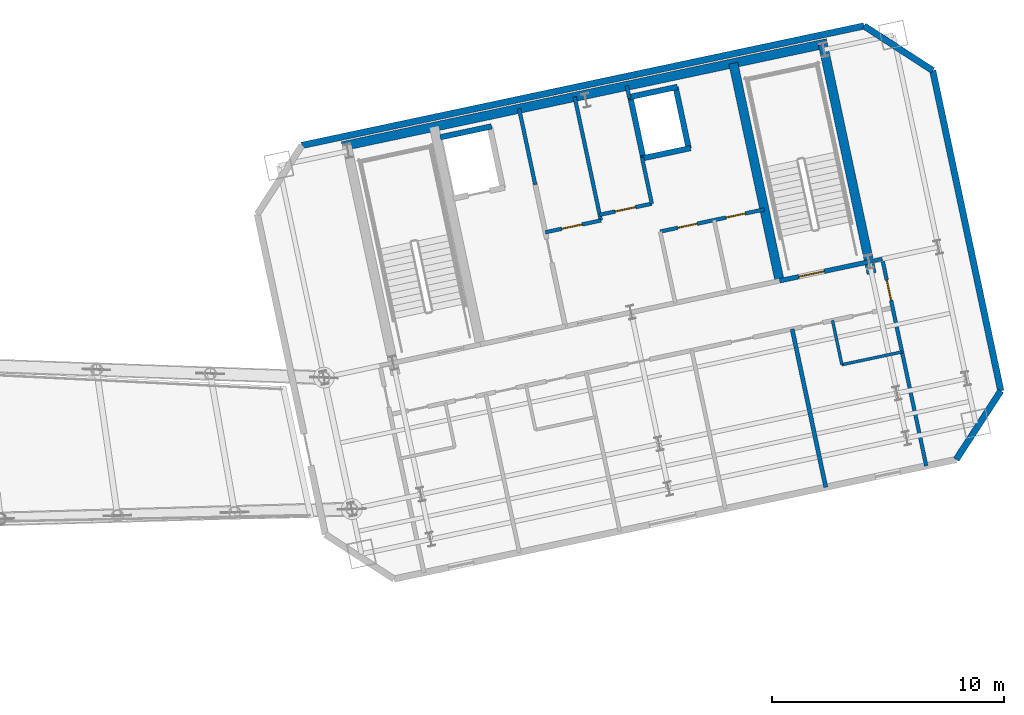
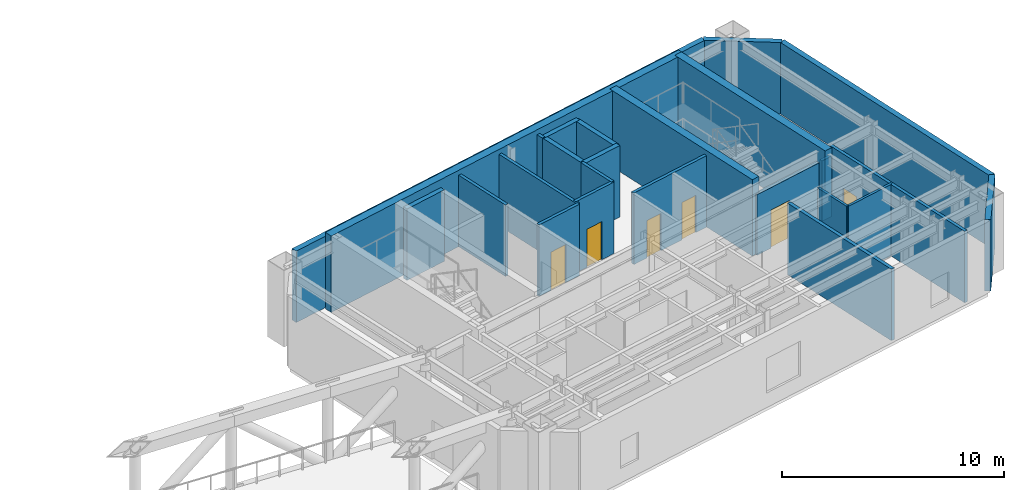
# One storey, part 10 of 14: 25 walls, 6 doors, 6 openings.
"""IFC4 building model written with IfcOpenShell, lengths in metres."""

from ifc_helpers import new_model, si_unit, direction, frame, frame_2d, origin, place, context, subcontext, project, spatial, rectangle, extrude, material, layer, layer_set, type_object, element, fill, save


model = new_model("IFC4")

# Units and contexts
model_context = context("Model", 3, precision=1e-05, world=origin(), true_north=direction((0.0, 1.0)))
body_context = subcontext(model_context, "Body", "Model", "MODEL_VIEW")
ifc_project = project(units=[si_unit("LENGTHUNIT", "METRE"), si_unit("AREAUNIT", "SQUARE_METRE"), si_unit("VOLUMEUNIT", "CUBIC_METRE"), si_unit("PLANEANGLEUNIT", "RADIAN"), si_unit("MASSUNIT", "GRAM", prefix="KILO")], contexts=[model_context])

# Site, building, storey
site_placement = place(None, origin())
site = spatial("IfcSite", under=ifc_project, at=site_placement, CompositionType="ELEMENT")
building_placement = place(site_placement, origin())
building = spatial("IfcBuilding", under=site, at=building_placement, Name="Haevon Station Towers", CompositionType="ELEMENT")
storey_placement = place(building_placement, frame((0.0, 0.0, 201.300048828125)))
storey = spatial("IfcBuildingStorey", under=building, at=storey_placement, Name="L55", CompositionType="ELEMENT", Elevation=201.300048828125)

# Wall
ifc_material_1 = material(Name="Gypsum board on steel stud", Category="steel")
ifc_layer_1 = layer(ifc_material_1, 0.179931640625)
ifc_layer_set_1 = layer_set([ifc_layer_1], Name="Gypsum board on steel stud")
wall_type_1 = type_object("IfcWallType", Name="WL-ACU180", PredefinedType="PARTITIONING", material=ifc_layer_set_1)
wall_1_placement = place(storey_placement, frame((117.423828125, 32.0771484375, 0.0), z_axis=(0.0, 0.0, 1.0), x_axis=(-0.207906863497, 0.9781486268, 0.0)))
element("IfcWall", 1, at=wall_1_placement, inside=storey, type_object=wall_type_1, Name="WL-T2PT-L55-12", PredefinedType="PARTITIONING", context=body_context, shape_type="SweptSolid", body=[
    extrude(rectangle(XDim=6.97998046875, YDim=0.179931640625, at=frame_2d((3.489990234375, 0.0))), origin(), (0.0, 0.0, 1.0), 3.929931640625),
])

# Wall, opening, door
ifc_layer_2 = layer(ifc_material_1, 0.199951171875)
ifc_layer_set_2 = layer_set([ifc_layer_2], Name="Gypsum board on steel stud")
wall_type_2 = type_object("IfcWallType", Name="WL-COR200", PredefinedType="PARTITIONING", material=ifc_layer_set_2)
wall_2_placement = place(storey_placement, frame((115.4296875, 40.9873046875, 0.0), z_axis=(0.0, 0.0, 1.0), x_axis=(0.978146596989, 0.207916413008, 0.0)))
wall_2 = element("IfcWall", 2, at=wall_2_placement, inside=storey, type_object=wall_type_2, Name="WL-ST-ST4-L55", PredefinedType="PARTITIONING", context=body_context, shape_type="SweptSolid", body=[
    extrude(rectangle(XDim=3.9501953125, YDim=0.199951171875, at=frame_2d((1.97509765625, 0.0))), origin(), (0.0, 0.0, 1.0), 3.329833984375),
])
opening_1_placement = place(wall_2_placement, frame((0.85009765625, 0.0, 0.0)))
opening_1 = element("IfcOpeningElement", 3, at=opening_1_placement, cuts=wall_2, Name="Opening DR-ST-ST4-L55", PredefinedType="OPENING", context=body_context, shape_type="SweptSolid", body=[
    extrude(rectangle(XDim=1.1201171875, YDim=2.10009765625, at=frame_2d((0.56005859375, 1.050048828125))), frame((0.0, 0.10986328125, 0.0), z_axis=(0.0, -1.0, 0.0), x_axis=(1.0, 0.0, 0.0)), (0.0, 0.0, 1.0), 0.219970703125),
])
ifc_material_2 = material(Name="Engineered oak timber", Category="wood")
door_type_1 = type_object("IfcDoorType", Name="DR-ST-1120", OperationType="NOTDEFINED", PredefinedType="DOOR", material=ifc_material_2)
door_1_placement = place(opening_1_placement, origin())
door_1 = element("IfcDoor", 4, at=door_1_placement, inside=storey, type_object=door_type_1, Name="L55 Escape Stair ST4 Fire Door", OperationType="SINGLE_SWING_RIGHT", OverallHeight=2.10009765625, OverallWidth=1.1201171875, PredefinedType="DOOR", context=body_context, shape_type="SweptSolid", body=[
    extrude(rectangle(XDim=1.1201171875, YDim=2.10009765625, at=frame_2d((0.56005859375, 1.050048828125))), frame((0.0, 0.02490234375, 0.0), z_axis=(0.0, -1.0, 0.0), x_axis=(1.0, 0.0, 0.0)), (0.0, 0.0, 1.0), 0.050048828125),
])
fill(opening_1, door_1)

# Walls
ifc_material_3 = material(Name="Concrete C60/75", Category="concrete")
ifc_layer_3 = layer(ifc_material_3, 0.39990234375)
ifc_layer_set_3 = layer_set([ifc_layer_3], Name="Concrete C60/75")
wall_type_3 = type_object("IfcWallType", Name="WL-CR400", PredefinedType="SHEAR", material=ifc_layer_set_3)
wall_3_placement = place(storey_placement, frame((96.560791015625, 46.791015625, 0.0), z_axis=(0.0, 0.0, 1.0), x_axis=(0.978148498705, 0.207907466152, 0.0)))
element("IfcWall", 5, at=wall_3_placement, inside=storey, type_object=wall_type_3, Name="WL-T2CR-L55-N", PredefinedType="SHEAR", context=body_context, shape_type="SweptSolid", body=[
    extrude(rectangle(XDim=21.39990234375, YDim=0.39990234375, at=frame_2d((10.699951171875, 0.0))), origin(), (0.0, 0.0, 1.0), 4.199951171875),
])
wall_4_placement = place(storey_placement, frame((119.401611328125, 41.2998046875, 0.0), z_axis=(0.0, 0.0, 1.0), x_axis=(-0.207904342798, 0.978149162575, 0.0)))
element("IfcWall", 6, at=wall_4_placement, inside=storey, type_object=wall_type_3, Name="WL-T2CR-L55-E", PredefinedType="SHEAR", context=body_context, shape_type="SweptSolid", body=[
    extrude(rectangle(XDim=10.1201171875, YDim=0.39990234375, at=frame_2d((5.06005859375, 0.0))), origin(), (0.0, 0.0, 1.0), 4.199951171875),
])
wall_5_placement = place(storey_placement, frame((115.4296875, 40.9873046875, 0.0), z_axis=(0.0, 0.0, 1.0), x_axis=(-0.207903162969, 0.978149413345, 0.0)))
element("IfcWall", 7, at=wall_5_placement, inside=storey, type_object=wall_type_3, Name="WL-T2CR-L55-M2", PredefinedType="SHEAR", context=body_context, shape_type="SweptSolid", body=[
    extrude(rectangle(XDim=9.599853515625, YDim=0.39990234375, at=frame_2d((4.7998046875, 0.0))), origin(), (0.0, 0.0, 1.0), 4.199951171875),
])
ifc_material_4 = material(Name="Precast concrete C45/55", Category="concrete")
ifc_layer_4 = layer(ifc_material_4, 0.280029296875)
ifc_layer_set_4 = layer_set([ifc_layer_4], Name="Precast concrete C45/55")
wall_type_4 = type_object("IfcWallType", Name="WL-EXT-PIER280", PredefinedType="SOLIDWALL", material=ifc_layer_set_4)
wall_6_placement = place(storey_placement, frame((94.814697265625, 46.828857421875, 0.0), z_axis=(0.0, 0.0, 1.0), x_axis=(0.97814726544, 0.207913268245, 0.0)))
element("IfcWall", 8, at=wall_6_placement, inside=storey, type_object=wall_type_4, Name="WL-T2-L55-N", PredefinedType="SOLIDWALL", context=body_context, shape_type="SweptSolid", body=[
    extrude(rectangle(XDim=24.800048828125, YDim=0.280029296875, at=frame_2d((12.39990234375, 0.0))), origin(), (0.0, 0.0, 1.0), 3.929931640625),
])
wall_7_placement = place(storey_placement, frame((119.07275390625, 51.985107421875, 0.0), z_axis=(0.0, 0.0, 1.0), x_axis=(0.838672309694, -0.544636352948, 0.0)))
element("IfcWall", 9, at=wall_7_placement, inside=storey, type_object=wall_type_4, Name="WL-T2-L55-NEC", PredefinedType="SOLIDWALL", context=body_context, shape_type="SweptSolid", body=[
    extrude(rectangle(XDim=3.535400390625, YDim=0.280029296875, at=frame_2d((1.767578125, 0.0))), origin(), (0.0, 0.0, 1.0), 3.929931640625),
])
wall_8_placement = place(storey_placement, frame((122.037841796875, 50.0595703125, 0.0), z_axis=(0.0, 0.0, 1.0), x_axis=(0.207924054969, -0.978144972571, 0.0)))
element("IfcWall", 10, at=wall_8_placement, inside=storey, type_object=wall_type_4, Name="WL-T2-L55-E", PredefinedType="SOLIDWALL", context=body_context, shape_type="SweptSolid", body=[
    extrude(rectangle(XDim=14.130126953125, YDim=0.280029296875, at=frame_2d((7.06494140625, 0.0))), origin(), (0.0, 0.0, 1.0), 3.929931640625),
])
wall_9_placement = place(storey_placement, frame((124.975830078125, 36.23828125, 0.0), z_axis=(0.0, 0.0, 1.0), x_axis=(-0.544684921471, -0.838640767148, 0.0)))
element("IfcWall", 11, at=wall_9_placement, inside=storey, type_object=wall_type_4, Name="WL-T2-L55-SEC", PredefinedType="SOLIDWALL", context=body_context, shape_type="SweptSolid", body=[
    extrude(rectangle(XDim=3.53564453125, YDim=0.280029296875, at=frame_2d((1.767822265625, 0.0))), origin(), (0.0, 0.0, 1.0), 3.929931640625),
])
ifc_layer_5 = layer(ifc_material_1, 0.125)
ifc_layer_set_5 = layer_set([ifc_layer_5], Name="Gypsum board on steel stud")
wall_type_5 = type_object("IfcWallType", Name="WL-PRT125", PredefinedType="PARTITIONING", material=ifc_layer_set_5)
wall_10_placement = place(storey_placement, frame((118.119140625, 37.367431640625, 0.0), z_axis=(0.0, 0.0, 1.0), x_axis=(0.978155341176, 0.207875271565, 0.0)))
element("IfcWall", 12, at=wall_10_placement, inside=storey, type_object=wall_type_5, Name="WL-T2PT-L55-13", PredefinedType="PARTITIONING", context=body_context, shape_type="SweptSolid", body=[
    extrude(rectangle(XDim=2.65185546875, YDim=0.125, at=frame_2d((1.325927734375, 0.0))), origin(), (0.0, 0.0, 1.0), 3.929931640625),
])
wall_11_placement = place(storey_placement, frame((118.119140625, 37.367431640625, 0.0), z_axis=(0.0, 0.0, 1.0), x_axis=(-0.207972563987, 0.978134659763, 0.0)))
element("IfcWall", 13, at=wall_11_placement, inside=storey, type_object=wall_type_5, Name="WL-T2PT-L55-14", PredefinedType="PARTITIONING", context=body_context, shape_type="SweptSolid", body=[
    extrude(rectangle(XDim=1.949951171875, YDim=0.125, at=frame_2d((0.97509765625, 0.0))), origin(), (0.0, 0.0, 1.0), 3.929931640625),
])
ifc_layer_6 = layer(ifc_material_1, 0.159912109375)
ifc_layer_set_6 = layer_set([ifc_layer_6], Name="Gypsum board on steel stud")
wall_type_6 = type_object("IfcWallType", Name="WL-PRT160", PredefinedType="PARTITIONING", material=ifc_layer_set_6)
wall_12_placement = place(storey_placement, frame((104.88671875, 45.135986328125, 0.0), z_axis=(0.0, 0.0, 1.0), x_axis=(-0.207846553267, 0.978161443881, 0.0)))
element("IfcWall", 14, at=wall_12_placement, inside=storey, type_object=wall_type_6, Name="WL-T2CW-L55-01", PredefinedType="PARTITIONING", context=body_context, shape_type="SweptSolid", body=[
    extrude(rectangle(XDim=3.35009765625, YDim=0.159912109375, at=frame_2d((1.675048828125, 0.0))), origin(), (0.0, 0.0, 1.0), 3.929931640625),
])

# Wall, opening, door
wall_13_placement = place(storey_placement, frame((105.323486328125, 43.081787109375, 0.0), z_axis=(0.0, 0.0, 1.0), x_axis=(0.978136559131, 0.207963630695, 0.0)))
wall_13 = element("IfcWall", 15, at=wall_13_placement, inside=storey, type_object=wall_type_6, Name="WL-T2CW-L55-02", PredefinedType="PARTITIONING", context=body_context, shape_type="SweptSolid", body=[
    extrude(rectangle(XDim=2.449951171875, YDim=0.159912109375, at=frame_2d((1.22509765625, 0.0))), origin(), (0.0, 0.0, 1.0), 3.929931640625),
])
opening_2_placement = place(wall_13_placement, frame((0.719970703125, 0.0, 0.0)))
opening_2 = element("IfcOpeningElement", 16, at=opening_2_placement, cuts=wall_13, Name="Opening DR-WL-T2CW-L55-02-1", PredefinedType="OPENING", context=body_context, shape_type="SweptSolid", body=[
    extrude(rectangle(XDim=0.89990234375, YDim=2.10009765625, at=frame_2d((0.449951171875, 1.050048828125))), frame((0.0, 0.08984375, 0.0), z_axis=(0.0, -1.0, 0.0), x_axis=(1.0, 0.0, 0.0)), (0.0, 0.0, 1.0), 0.179931640625),
])
door_type_2 = type_object("IfcDoorType", Name="DR-FD60-900", OperationType="NOTDEFINED", PredefinedType="DOOR", material=ifc_material_2)
door_2_placement = place(opening_2_placement, origin())
door_2 = element("IfcDoor", 17, at=door_2_placement, inside=storey, type_object=door_type_2, Name="L55 Tower 2 Core Room Door 2-1", OperationType="SINGLE_SWING_LEFT", OverallHeight=2.10009765625, OverallWidth=0.89990234375, PredefinedType="DOOR", context=body_context, shape_type="SweptSolid", body=[
    extrude(rectangle(XDim=0.89990234375, YDim=2.10009765625, at=frame_2d((0.449951171875, 1.050048828125))), frame((0.0, 0.02490234375, 0.0), z_axis=(0.0, -1.0, 0.0), x_axis=(1.0, 0.0, 0.0)), (0.0, 0.0, 1.0), 0.050048828125),
])
fill(opening_2, door_2)

# Wall
wall_14_placement = place(storey_placement, frame((107.719970703125, 43.59130859375, 0.0), z_axis=(0.0, 0.0, 1.0), x_axis=(-0.207947156665, 0.978140061563, 0.0)))
element("IfcWall", 18, at=wall_14_placement, inside=storey, type_object=wall_type_6, Name="WL-T2CW-L55-03", PredefinedType="PARTITIONING", context=body_context, shape_type="SweptSolid", body=[
    extrude(rectangle(XDim=5.449951171875, YDim=0.159912109375, at=frame_2d((2.72509765625, 0.0))), origin(), (0.0, 0.0, 1.0), 3.929931640625),
])

# Wall, opening, door
wall_15_placement = place(storey_placement, frame((107.66796875, 43.835693359375, 0.0), z_axis=(0.0, 0.0, 1.0), x_axis=(0.978141312374, 0.207941273027, 0.0)))
wall_15 = element("IfcWall", 19, at=wall_15_placement, inside=storey, type_object=wall_type_6, Name="WL-T2CW-L55-04", PredefinedType="PARTITIONING", context=body_context, shape_type="SweptSolid", body=[
    extrude(rectangle(XDim=2.300048828125, YDim=0.159912109375, at=frame_2d((1.14990234375, 0.0))), origin(), (0.0, 0.0, 1.0), 3.929931640625),
])
opening_3_placement = place(wall_15_placement, frame((0.679931640625, 0.0, 0.0)))
opening_3 = element("IfcOpeningElement", 20, at=opening_3_placement, cuts=wall_15, Name="Opening DR-WL-T2CW-L55-04-1", PredefinedType="OPENING", context=body_context, shape_type="SweptSolid", body=[
    extrude(rectangle(XDim=0.89990234375, YDim=2.10009765625, at=frame_2d((0.449951171875, 1.050048828125))), frame((0.0, 0.08984375, 0.0), z_axis=(0.0, -1.0, 0.0), x_axis=(1.0, 0.0, 0.0)), (0.0, 0.0, 1.0), 0.179931640625),
])
door_3_placement = place(opening_3_placement, origin())
door_3 = element("IfcDoor", 21, at=door_3_placement, inside=storey, type_object=door_type_2, Name="L55 Tower 2 Core Room Door 4-1", OperationType="SINGLE_SWING_RIGHT", OverallHeight=2.10009765625, OverallWidth=0.89990234375, PredefinedType="DOOR", context=body_context, shape_type="SweptSolid", body=[
    extrude(rectangle(XDim=0.89990234375, YDim=2.10009765625, at=frame_2d((0.449951171875, 1.050048828125))), frame((0.0, 0.02490234375, 0.0), z_axis=(0.0, -1.0, 0.0), x_axis=(1.0, 0.0, 0.0)), (0.0, 0.0, 1.0), 0.050048828125),
])
fill(opening_3, door_3)

# Walls
wall_16_placement = place(storey_placement, frame((109.917724609375, 44.31396484375, 0.0), z_axis=(0.0, 0.0, 1.0), x_axis=(-0.207942793968, 0.978140989038, 0.0)))
element("IfcWall", 22, at=wall_16_placement, inside=storey, type_object=wall_type_6, Name="WL-T2CW-L55-05", PredefinedType="PARTITIONING", context=body_context, shape_type="SweptSolid", body=[
    extrude(rectangle(XDim=2.050048828125, YDim=0.159912109375, at=frame_2d((1.02490234375, 0.0))), origin(), (0.0, 0.0, 1.0), 3.929931640625),
])
wall_17_placement = place(storey_placement, frame((108.950927734375, 48.8623046875, 0.0), z_axis=(0.0, 0.0, 1.0), x_axis=(-0.208134744237, 0.978100162683, 0.0)))
element("IfcWall", 23, at=wall_17_placement, inside=storey, type_object=wall_type_6, Name="WL-T2CW-L55-06", PredefinedType="PARTITIONING", context=body_context, shape_type="SweptSolid", body=[
    extrude(rectangle(XDim=0.550048828125, YDim=0.159912109375, at=frame_2d((0.27490234375, 0.0))), origin(), (0.0, 0.0, 1.0), 3.929931640625),
])

# Wall, openings, doors
wall_18_placement = place(storey_placement, frame((110.275390625, 43.112060546875, 0.0), z_axis=(0.0, 0.0, 1.0), x_axis=(0.978152106073, 0.207890493732, 0.0)))
wall_18 = element("IfcWall", 24, at=wall_18_placement, inside=storey, type_object=wall_type_6, Name="WL-T2CW-L55-09", PredefinedType="PARTITIONING", context=body_context, shape_type="SweptSolid", body=[
    extrude(rectangle(XDim=4.60009765625, YDim=0.159912109375, at=frame_2d((2.300048828125, 0.0))), origin(), (0.0, 0.0, 1.0), 3.929931640625),
])
opening_4_placement = place(wall_18_placement, frame((0.784912109375, 0.0, 0.0)))
opening_4 = element("IfcOpeningElement", 25, at=opening_4_placement, cuts=wall_18, Name="Opening DR-WL-T2CW-L55-09-1", PredefinedType="OPENING", context=body_context, shape_type="SweptSolid", body=[
    extrude(rectangle(XDim=0.85009765625, YDim=2.050048828125, at=frame_2d((0.425048828125, 1.02490234375))), frame((0.0, 0.08984375, 0.0), z_axis=(0.0, -1.0, 0.0), x_axis=(1.0, 0.0, 0.0)), (0.0, 0.0, 1.0), 0.179931640625),
])
opening_5_placement = place(wall_18_placement, frame((2.905029296875, 0.0, 0.0)))
opening_5 = element("IfcOpeningElement", 26, at=opening_5_placement, cuts=wall_18, Name="Opening DR-WL-T2CW-L55-09-2", PredefinedType="OPENING", context=body_context, shape_type="SweptSolid", body=[
    extrude(rectangle(XDim=0.85009765625, YDim=2.050048828125, at=frame_2d((0.425048828125, 1.02490234375))), frame((0.0, 0.08984375, 0.0), z_axis=(0.0, -1.0, 0.0), x_axis=(1.0, 0.0, 0.0)), (0.0, 0.0, 1.0), 0.179931640625),
])
door_type_3 = type_object("IfcDoorType", Name="DR-FD30-850", OperationType="NOTDEFINED", PredefinedType="DOOR", material=ifc_material_2)
door_4_placement = place(opening_4_placement, origin())
door_4 = element("IfcDoor", 27, at=door_4_placement, inside=storey, type_object=door_type_3, Name="L55 Tower 2 Core Room Door 9-1", OperationType="SINGLE_SWING_LEFT", OverallHeight=2.050048828125, OverallWidth=0.85009765625, PredefinedType="DOOR", context=body_context, shape_type="SweptSolid", body=[
    extrude(rectangle(XDim=0.85009765625, YDim=2.050048828125, at=frame_2d((0.425048828125, 1.02490234375))), frame((0.0, 0.02490234375, 0.0), z_axis=(0.0, -1.0, 0.0), x_axis=(1.0, 0.0, 0.0)), (0.0, 0.0, 1.0), 0.050048828125),
])
fill(opening_4, door_4)
door_5_placement = place(opening_5_placement, origin())
door_5 = element("IfcDoor", 28, at=door_5_placement, inside=storey, type_object=door_type_3, Name="L55 Tower 2 Core Room Door 9-2", OperationType="SINGLE_SWING_RIGHT", OverallHeight=2.050048828125, OverallWidth=0.85009765625, PredefinedType="DOOR", context=body_context, shape_type="SweptSolid", body=[
    extrude(rectangle(XDim=0.85009765625, YDim=2.050048828125, at=frame_2d((0.425048828125, 1.02490234375))), frame((0.0, 0.02490234375, 0.0), z_axis=(0.0, -1.0, 0.0), x_axis=(1.0, 0.0, 0.0)), (0.0, 0.0, 1.0), 0.050048828125),
])
fill(opening_5, door_5)

# Wall
wall_19_placement = place(storey_placement, frame((119.29345703125, 41.80859375, 0.0), z_axis=(0.0, 0.0, 1.0), x_axis=(0.978146012851, 0.207919161079, 0.0)))
element("IfcWall", 29, at=wall_19_placement, inside=storey, type_object=wall_type_6, Name="WL-T2PT-L55-02", PredefinedType="PARTITIONING", context=body_context, shape_type="SweptSolid", body=[
    extrude(rectangle(XDim=0.580078125, YDim=0.159912109375, at=frame_2d((0.2900390625, 0.0))), origin(), (0.0, 0.0, 1.0), 3.329833984375),
])

# Wall, opening, door
wall_20_placement = place(storey_placement, frame((121.759033203125, 32.99853515625, 0.0), z_axis=(0.0, 0.0, 1.0), x_axis=(-0.207903528818, 0.978149335585, 0.0)))
wall_20 = element("IfcWall", 30, at=wall_20_placement, inside=storey, type_object=wall_type_6, Name="WL-T2PT-L55-04", PredefinedType="PARTITIONING", context=body_context, shape_type="SweptSolid", body=[
    extrude(rectangle(XDim=9.130126953125, YDim=0.159912109375, at=frame_2d((4.56494140625, 0.0))), origin(), (0.0, 0.0, 1.0), 3.929931640625),
])
opening_6_placement = place(wall_20_placement, frame((7.300048828125, 0.0, 0.0)))
opening_6 = element("IfcOpeningElement", 31, at=opening_6_placement, cuts=wall_20, Name="Opening DR-WL-T2PT-L55-04-01", PredefinedType="OPENING", context=body_context, shape_type="SweptSolid", body=[
    extrude(rectangle(XDim=0.89990234375, YDim=2.050048828125, at=frame_2d((0.449951171875, 1.02490234375))), frame((0.0, 0.08984375, 0.0), z_axis=(0.0, -1.0, 0.0), x_axis=(1.0, 0.0, 0.0)), (0.0, 0.0, 1.0), 0.179931640625),
])
door_type_4 = type_object("IfcDoorType", Name="DR-INT-900", OperationType="NOTDEFINED", PredefinedType="DOOR", material=ifc_material_2)
door_6_placement = place(opening_6_placement, origin())
door_6 = element("IfcDoor", 32, at=door_6_placement, inside=storey, type_object=door_type_4, Name="L55 Tower 2 Room Door 4-1", OperationType="SINGLE_SWING_RIGHT", OverallHeight=2.050048828125, OverallWidth=0.89990234375, PredefinedType="DOOR", context=body_context, shape_type="SweptSolid", body=[
    extrude(rectangle(XDim=0.89990234375, YDim=2.050048828125, at=frame_2d((0.449951171875, 1.02490234375))), frame((0.0, 0.02490234375, 0.0), z_axis=(0.0, -1.0, 0.0), x_axis=(1.0, 0.0, 0.0)), (0.0, 0.0, 1.0), 0.050048828125),
])
fill(opening_6, door_6)

# Walls
ifc_material_5 = material(Name="Concrete C40/50", Category="concrete")
ifc_layer_7 = layer(ifc_material_5, 0.239990234375)
ifc_layer_set_7 = layer_set([ifc_layer_7], Name="Concrete C40/50")
wall_type_7 = type_object("IfcWallType", Name="WL-SHF240", PredefinedType="PARTITIONING", material=ifc_layer_set_7)
wall_21_placement = place(storey_placement, frame((100.79248046875, 47.179443359375, 0.0), z_axis=(0.0, 0.0, 1.0), x_axis=(0.978162968872, 0.207839376268, 0.0)))
element("IfcWall", 33, at=wall_21_placement, inside=storey, type_object=wall_type_7, Name="WL-SHF-FL2-L55-N", PredefinedType="PARTITIONING", context=body_context, shape_type="SweptSolid", body=[
    extrude(rectangle(XDim=2.260009765625, YDim=0.239990234375, at=frame_2d((1.1298828125, 0.0))), origin(), (0.0, 0.0, 1.0), 3.929931640625),
])
for number, where, z_axis, x_axis, name in (
    (34, (109.472412109375, 46.263916015625, 0.0), (0.0, 0.0, 1.0), (0.97813528961, 0.207969601673, 0.0), "WL-SHF-PL9-L55"),
    (35, (108.9111328125, 48.905029296875, 0.0), (0.0, 0.0, 1.0), (0.978158276388, 0.207861459473, 0.0), "WL-SHF-PL9-L55-N"),
):
    element("IfcWall", number, at=place(storey_placement, frame(where, z_axis=z_axis, x_axis=x_axis)), inside=storey, type_object=wall_type_7, Name=name, PredefinedType="PARTITIONING", context=body_context, shape_type="SweptSolid", body=[
        extrude(rectangle(XDim=2.159912109375, YDim=0.239990234375, at=frame_2d((1.080078125, 0.0))), origin(), (0.0, 0.0, 1.0), 3.929931640625),
    ])
for number, where, z_axis, x_axis, name in (
    (36, (109.55078125, 46.28076171875, 0.0), (0.0, 0.0, 1.0), (-0.207892282326, 0.978151725935, 0.0), "WL-SHF-PL9-L55-W"),
    (37, (111.507080078125, 46.696533203125, 0.0), (0.0, 0.0, 1.0), (-0.207892282326, 0.978151725935, 0.0), "WL-SHF-PL9-L55-E"),
):
    element("IfcWall", number, at=place(storey_placement, frame(where, z_axis=z_axis, x_axis=x_axis)), inside=storey, type_object=wall_type_7, Name=name, PredefinedType="PARTITIONING", context=body_context, shape_type="SweptSolid", body=[
        extrude(rectangle(XDim=2.699951171875, YDim=0.239990234375, at=frame_2d((1.35009765625, 0.0))), origin(), (0.0, 0.0, 1.0), 3.929931640625),
    ])

save(model, "model.ifc")
